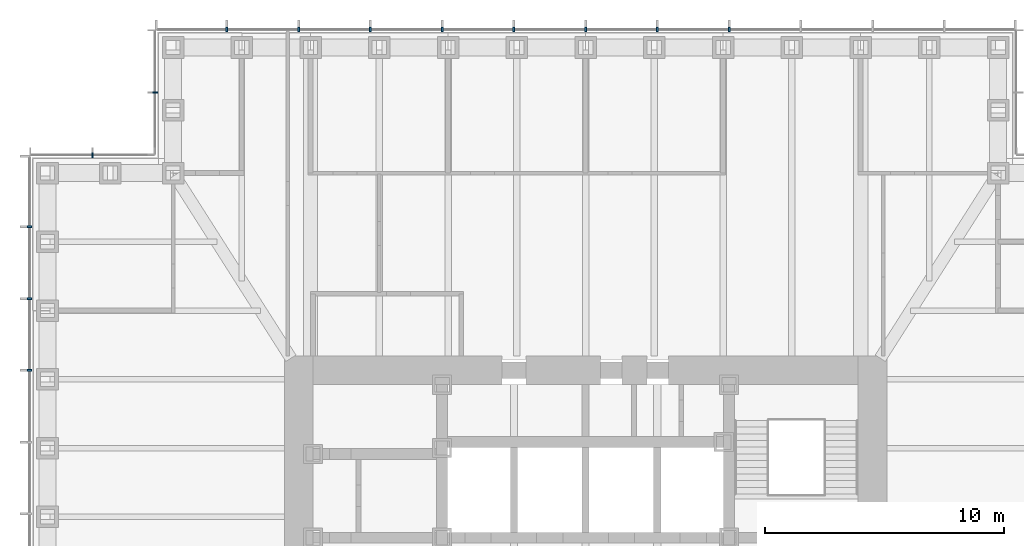
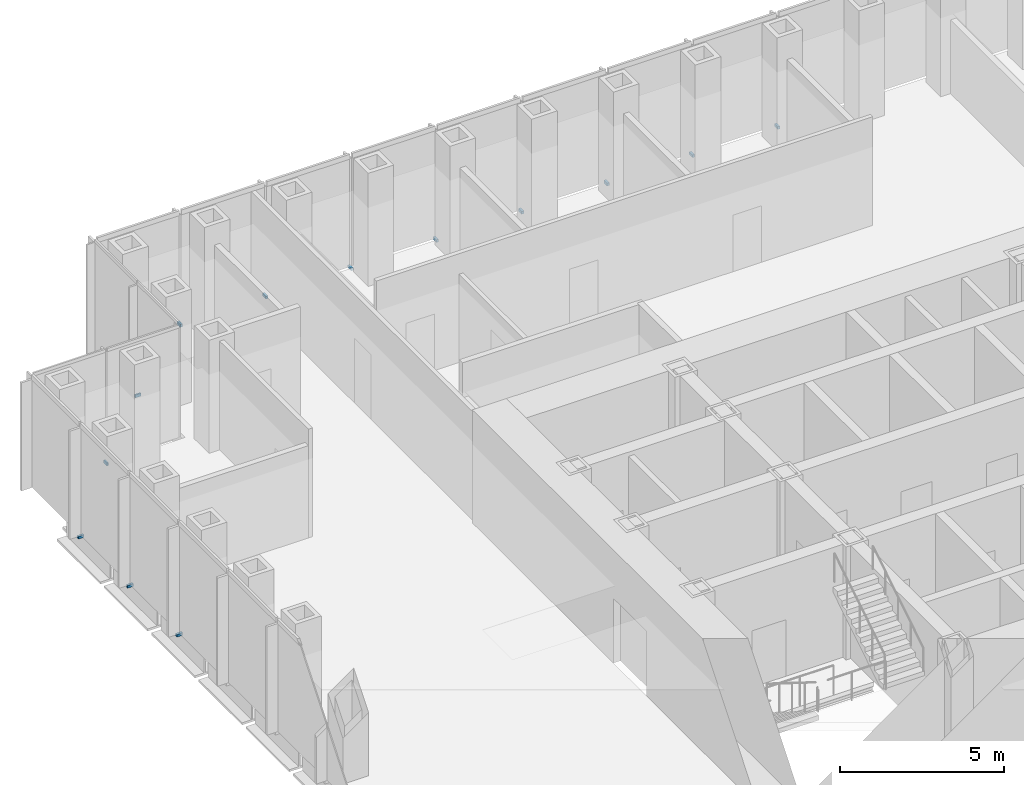
# One storey, part 15 of 17: 13 discrete accessories.
"""IFC4 building model written with IfcOpenShell, lengths in metres."""

from ifc_helpers import new_model, si_unit, direction, frame, origin, origin_2d, place, context, subcontext, project, spatial, rectangle, extrude, element, save


model = new_model("IFC4")

# Units and contexts
model_context = context("Model", 3, precision=1e-05, world=origin(), true_north=direction((0.0, 1.0)))
body_context = subcontext(model_context, "Body", "Model", "MODEL_VIEW")
ifc_project = project(units=[si_unit("LENGTHUNIT", "METRE"), si_unit("AREAUNIT", "SQUARE_METRE"), si_unit("VOLUMEUNIT", "CUBIC_METRE"), si_unit("PLANEANGLEUNIT", "RADIAN"), si_unit("MASSUNIT", "GRAM", prefix="KILO")], contexts=[model_context])

# Site, building, storey
site_placement = place(None, origin())
site = spatial("IfcSite", under=ifc_project, at=site_placement, CompositionType="ELEMENT")
building_placement = place(site_placement, origin())
building = spatial("IfcBuilding", under=site, at=building_placement, Name="Daluyong Arena Tower", CompositionType="ELEMENT")
storey_placement = place(building_placement, frame((0.0, 0.0, 129.10009765625)))
storey = spatial("IfcBuildingStorey", under=building, at=storey_placement, Name="L28", CompositionType="ELEMENT", Elevation=129.10009765625)

# Discrete accessories
for number, where, z_axis, x_axis, name in (
    (1, (62.0, 103.25, -0.10009765625), (0.0, 0.0, 1.0), (-1.0, 0.0, 0.0), "curtain wall L28 N anchor bracket 5"),
    (2, (59.0, 103.25, -0.10009765625), (0.0, 0.0, 1.0), (-1.0, 0.0, 0.0), "curtain wall L28 N anchor bracket 6"),
    (3, (56.0, 103.25, -0.10009765625), (0.0, 0.0, 1.0), (-1.0, 0.0, 0.0), "curtain wall L28 N anchor bracket 7"),
    (4, (53.0, 103.25, -0.10009765625), (0.0, 0.0, 1.0), (-1.0, 0.0, 0.0), "curtain wall L28 N anchor bracket 8"),
    (5, (50.0, 103.25, -0.10009765625), (0.0, 0.0, 1.0), (-1.0, 0.0, 0.0), "curtain wall L28 N anchor bracket 9"),
    (6, (47.0, 103.25, -0.10009765625), (0.0, 0.0, 1.0), (-1.0, 0.0, 0.0), "curtain wall L28 N anchor bracket 10"),
    (7, (44.0, 103.25, -0.10009765625), (0.0, 0.0, 1.0), (-1.0, 0.0, 0.0), "curtain wall L28 N anchor bracket 11"),
    (8, (41.0, 103.25, -0.10009765625), (0.0, 0.0, 1.0), (-1.0, 0.0, 0.0), "curtain wall L28 N anchor bracket 12"),
):
    element("IfcDiscreteAccessory", number, at=place(storey_placement, frame(where, z_axis=z_axis, x_axis=x_axis)), inside=storey, Name=name, PredefinedType="BRACKET", context=body_context, shape_type="SweptSolid", body=[
        extrude(rectangle(XDim=0.080078125, YDim=0.199951171875, at=origin_2d()), origin(), (0.0, 0.0, 1.0), 0.10009765625),
    ])
for number, where, z_axis, x_axis, name in (
    (9, (38.0, 100.625, -0.10009765625), (0.0, 0.0, 1.0), (0.0, -1.0, 0.0), "curtain wall L28 NW-W anchor bracket 2"),
    (10, (35.375, 98.0, -0.10009765625), (0.0, 0.0, 1.0), (-1.0, 0.0, 0.0), "curtain wall L28 NW-N anchor bracket 2"),
):
    element("IfcDiscreteAccessory", number, at=place(storey_placement, frame(where, z_axis=z_axis, x_axis=x_axis)), inside=storey, Name=name, PredefinedType="BRACKET", context=body_context, shape_type="SweptSolid", body=[
        extrude(rectangle(XDim=0.06005859375, YDim=0.199951171875, at=origin_2d()), origin(), (0.0, 0.0, 1.0), 0.10009765625),
    ])
for number, where, z_axis, x_axis, name in (
    (11, (32.75, 95.0, -0.10009765625), (0.0, 0.0, 1.0), (0.0, -1.0, 0.0), "curtain wall L28 W anchor bracket 2"),
    (12, (32.75, 92.0, -0.10009765625), (0.0, 0.0, 1.0), (0.0, -1.0, 0.0), "curtain wall L28 W anchor bracket 3"),
    (13, (32.75, 89.0, -0.10009765625), (0.0, 0.0, 1.0), (0.0, -1.0, 0.0), "curtain wall L28 W anchor bracket 4"),
):
    element("IfcDiscreteAccessory", number, at=place(storey_placement, frame(where, z_axis=z_axis, x_axis=x_axis)), inside=storey, Name=name, PredefinedType="BRACKET", context=body_context, shape_type="SweptSolid", body=[
        extrude(rectangle(XDim=0.080078125, YDim=0.199951171875, at=origin_2d()), origin(), (0.0, 0.0, 1.0), 0.10009765625),
    ])

save(model, "model.ifc")
